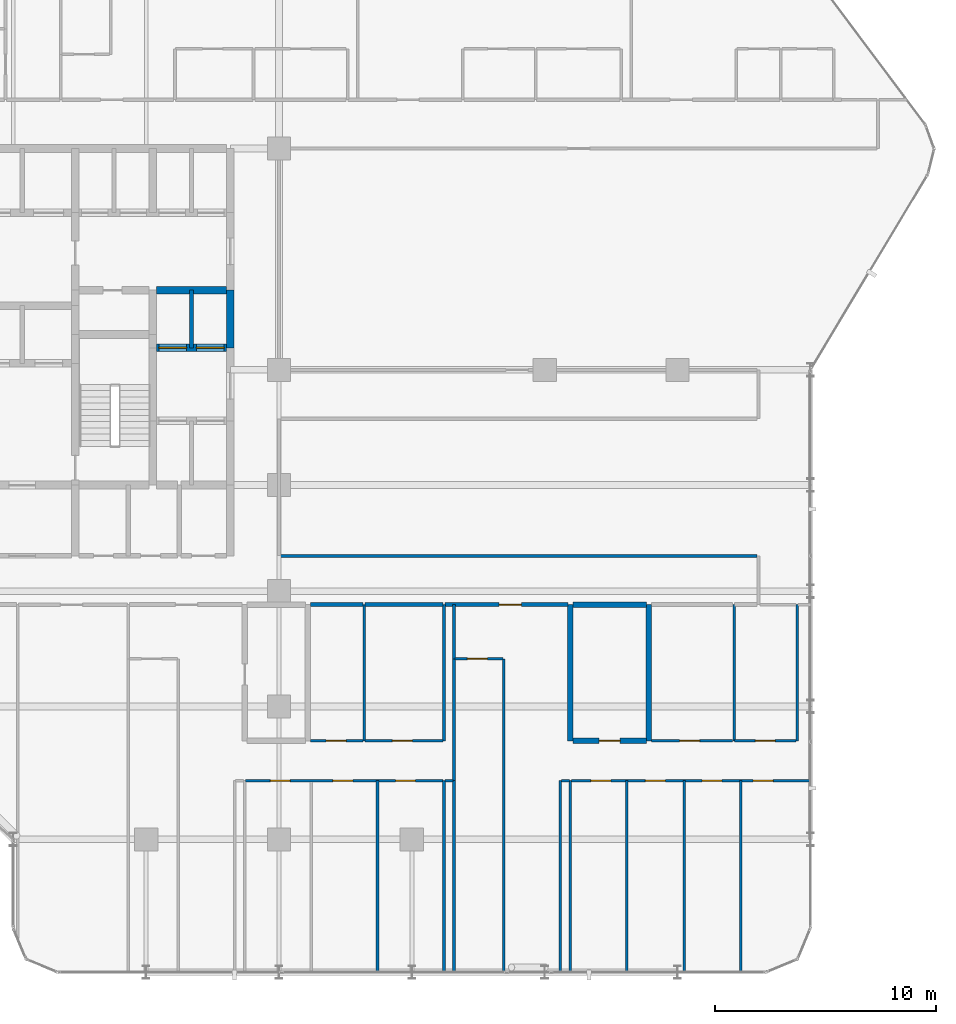
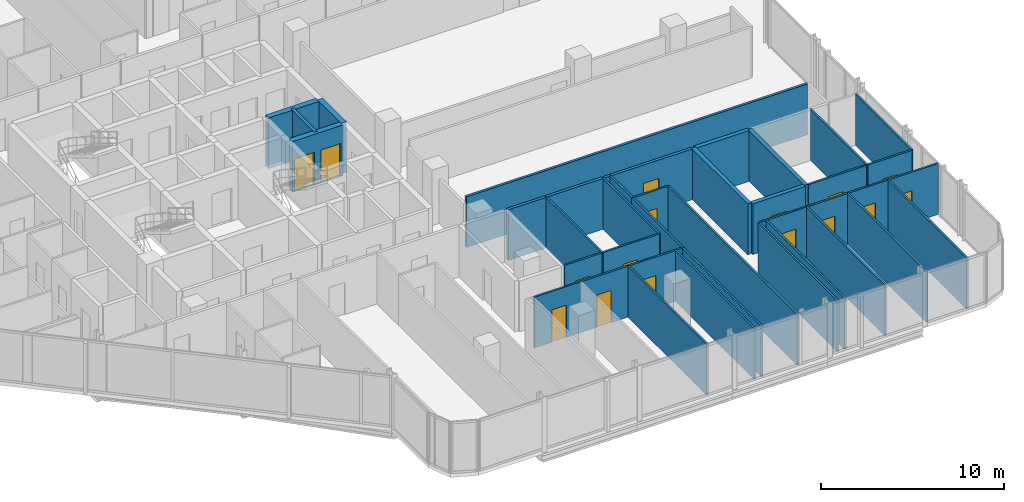
# One storey, part 26 of 30: 36 walls, 16 doors, 16 openings.
"""IFC4 building model written with IfcOpenShell, lengths in metres."""

from ifc_helpers import new_model, si_unit, direction, frame, frame_2d, origin, place, context, subcontext, project, spatial, rectangle, extrude, material, layer, layer_set, type_object, element, fill, save


model = new_model("IFC4")

# Units and contexts
model_context = context("Model", 3, precision=1e-05, world=origin(), true_north=direction((0.0, 1.0)))
body_context = subcontext(model_context, "Body", "Model", "MODEL_VIEW")
ifc_project = project(units=[si_unit("LENGTHUNIT", "METRE"), si_unit("AREAUNIT", "SQUARE_METRE"), si_unit("VOLUMEUNIT", "CUBIC_METRE"), si_unit("PLANEANGLEUNIT", "RADIAN"), si_unit("MASSUNIT", "GRAM", prefix="KILO")], contexts=[model_context])

# Site, building, storey
site_placement = place(None, origin())
site = spatial("IfcSite", under=ifc_project, at=site_placement, CompositionType="ELEMENT")
building_placement = place(site_placement, origin())
building = spatial("IfcBuilding", under=site, at=building_placement, Name="Keshet Zoharim Tower", CompositionType="ELEMENT")
storey_placement = place(building_placement, frame((0.0, 0.0, 109.39990234375)))
storey = spatial("IfcBuildingStorey", under=building, at=storey_placement, Name="L26", CompositionType="ELEMENT", Elevation=109.39990234375)

# Walls
ifc_material_1 = material(Name="Gypsum Plasterboard", Category="gypsum")
ifc_layer_1 = layer(ifc_material_1, 0.14990234375)
ifc_layer_set_1 = layer_set([ifc_layer_1], Name="Gypsum Plasterboard")
wall_type_1 = type_object("IfcWallType", Name="WL-CLIN-150", PredefinedType="STANDARD", material=ifc_layer_set_1)
wall_1_placement = place(storey_placement, frame((33.070068359375, 19.5, 0.0), z_axis=(0.0, 0.0, 1.0), x_axis=(1.0, 0.0, 0.0)))
element("IfcWall", 1, at=wall_1_placement, inside=storey, type_object=wall_type_1, Name="L26 Interior Wall 146", PredefinedType="STANDARD", context=body_context, shape_type="SweptSolid", body=[
    extrude(rectangle(XDim=21.510009765625, YDim=0.14990234375, at=frame_2d((10.7548828125, 0.0))), origin(), (0.0, 0.0, 1.0), 3.385009765625),
])
ifc_material_2 = material(Name="Concrete C60/75", Category="concrete")
ifc_layer_2 = layer(ifc_material_2, 0.35009765625)
ifc_layer_set_2 = layer_set([ifc_layer_2], Name="Concrete C60/75")
wall_type_2 = type_object("IfcWallType", Name="WL-CORE-350", PredefinedType="SHEAR", material=ifc_layer_set_2)
wall_2_placement = place(storey_placement, frame((30.800048828125, 28.89990234375, 0.0), z_axis=(0.0, 0.0, 1.0), x_axis=(0.0, 1.0, 0.0)))
element("IfcWall", 2, at=wall_2_placement, inside=storey, type_object=wall_type_2, Name="L26 Core Shear Wall 063", PredefinedType="SHEAR", context=body_context, shape_type="SweptSolid", body=[
    extrude(rectangle(XDim=2.60009765625, YDim=0.35009765625, at=frame_2d((1.300048828125, 0.0))), origin(), (0.0, 0.0, 1.0), 3.385009765625),
])

# Wall, openings, doors
wall_3_placement = place(storey_placement, frame((27.4599609375, 28.89990234375, 0.0), z_axis=(0.0, 0.0, 1.0), x_axis=(1.0, 0.0, 0.0)))
wall_3 = element("IfcWall", 3, at=wall_3_placement, inside=storey, type_object=wall_type_2, Name="L26 Core Shear Wall 167", PredefinedType="SHEAR", context=body_context, shape_type="SweptSolid", body=[
    extrude(rectangle(XDim=3.179931640625, YDim=0.35009765625, at=frame_2d((1.58984375, 0.0))), origin(), (0.0, 0.0, 1.0), 3.385009765625),
])
opening_1_placement = place(wall_3_placement, frame((0.1201171875, 0.0, 0.0)))
opening_1 = element("IfcOpeningElement", 4, at=opening_1_placement, cuts=wall_3, Name="Opening LD-01", PredefinedType="OPENING", context=body_context, shape_type="SweptSolid", body=[
    extrude(rectangle(XDim=1.25, YDim=2.199951171875, at=frame_2d((0.625, 1.10009765625))), frame((0.0, 0.18505859375, 0.0), z_axis=(0.0, -1.0, 0.0), x_axis=(1.0, 0.0, 0.0)), (0.0, 0.0, 1.0), 0.3701171875),
])
opening_2_placement = place(wall_3_placement, frame((1.81005859375, 0.0, 0.0)))
opening_2 = element("IfcOpeningElement", 5, at=opening_2_placement, cuts=wall_3, Name="Opening LD-01", PredefinedType="OPENING", context=body_context, shape_type="SweptSolid", body=[
    extrude(rectangle(XDim=1.25, YDim=2.199951171875, at=frame_2d((0.625, 1.10009765625))), frame((0.0, 0.18505859375, 0.0), z_axis=(0.0, -1.0, 0.0), x_axis=(1.0, 0.0, 0.0)), (0.0, 0.0, 1.0), 0.3701171875),
])
ifc_material_3 = material(Name="Steel S355", Category="steel")
door_type_1 = type_object("IfcDoorType", Name="DR-LD01-125", OperationType="DOUBLE_DOOR_SLIDING", PredefinedType="DOOR", material=ifc_material_3)
door_1_placement = place(opening_1_placement, origin())
door_1 = element("IfcDoor", 6, at=door_1_placement, inside=storey, type_object=door_type_1, Name="L26 Passenger Lift Landing Door LF-05", OperationType="DOUBLE_DOOR_SLIDING", OverallHeight=2.199951171875, OverallWidth=1.25, PredefinedType="DOOR", context=body_context, shape_type="SweptSolid", body=[
    extrude(rectangle(XDim=1.25, YDim=2.199951171875, at=frame_2d((0.625, 1.10009765625))), frame((0.0, 0.02490234375, 0.0), z_axis=(0.0, -1.0, 0.0), x_axis=(1.0, 0.0, 0.0)), (0.0, 0.0, 1.0), 0.050048828125),
])
fill(opening_1, door_1)
door_2_placement = place(opening_2_placement, origin())
door_2 = element("IfcDoor", 7, at=door_2_placement, inside=storey, type_object=door_type_1, Name="L26 Passenger Lift Landing Door LF-06", OperationType="DOUBLE_DOOR_SLIDING", OverallHeight=2.199951171875, OverallWidth=1.25, PredefinedType="DOOR", context=body_context, shape_type="SweptSolid", body=[
    extrude(rectangle(XDim=1.25, YDim=2.199951171875, at=frame_2d((0.625, 1.10009765625))), frame((0.0, 0.02490234375, 0.0), z_axis=(0.0, -1.0, 0.0), x_axis=(1.0, 0.0, 0.0)), (0.0, 0.0, 1.0), 0.050048828125),
])
fill(opening_2, door_2)

# Walls
wall_4_placement = place(storey_placement, frame((27.4599609375, 31.5, 0.0), z_axis=(0.0, 0.0, 1.0), x_axis=(1.0, 0.0, 0.0)))
element("IfcWall", 8, at=wall_4_placement, inside=storey, type_object=wall_type_2, Name="L26 Core Shear Wall 175", PredefinedType="SHEAR", context=body_context, shape_type="SweptSolid", body=[
    extrude(rectangle(XDim=3.179931640625, YDim=0.35009765625, at=frame_2d((1.58984375, 0.0))), origin(), (0.0, 0.0, 1.0), 3.385009765625),
])
ifc_layer_3 = layer(ifc_material_1, 0.179931640625)
ifc_layer_set_3 = layer_set([ifc_layer_3], Name="Gypsum Plasterboard")
wall_type_3 = type_object("IfcWallType", Name="WL-CORR-180", PredefinedType="STANDARD", material=ifc_layer_set_3)
wall_5_placement = place(storey_placement, frame((34.425048828125, 17.300048828125, 0.0), z_axis=(0.0, 0.0, 1.0), x_axis=(1.0, 0.0, 0.0)))
element("IfcWall", 9, at=wall_5_placement, inside=storey, type_object=wall_type_3, Name="L26 Interior Wall 134", PredefinedType="STANDARD", context=body_context, shape_type="SweptSolid", body=[
    extrude(rectangle(XDim=2.367919921875, YDim=0.179931640625, at=frame_2d((1.18408203125, 0.0))), origin(), (0.0, 0.0, 1.0), 3.385009765625),
])
wall_6_placement = place(storey_placement, frame((36.883056640625, 17.300048828125, 0.0), z_axis=(0.0, 0.0, 1.0), x_axis=(1.0, 0.0, 0.0)))
element("IfcWall", 10, at=wall_6_placement, inside=storey, type_object=wall_type_3, Name="L26 Interior Wall 135", PredefinedType="STANDARD", context=body_context, shape_type="SweptSolid", body=[
    extrude(rectangle(XDim=3.531982421875, YDim=0.179931640625, at=frame_2d((1.76611328125, 0.0))), origin(), (0.0, 0.0, 1.0), 3.385009765625),
])

# Wall, opening, door
wall_7_placement = place(storey_placement, frame((40.5048828125, 17.300048828125, 0.0), z_axis=(0.0, 0.0, 1.0), x_axis=(1.0, 0.0, 0.0)))
wall_7 = element("IfcWall", 11, at=wall_7_placement, inside=storey, type_object=wall_type_3, Name="L26 Interior Wall 136", PredefinedType="STANDARD", context=body_context, shape_type="SweptSolid", body=[
    extrude(rectangle(XDim=5.545166015625, YDim=0.179931640625, at=frame_2d((2.7724609375, 0.0))), origin(), (0.0, 0.0, 1.0), 3.385009765625),
])
opening_3_placement = place(wall_7_placement, frame((2.43505859375, 0.0, 0.0)))
opening_3 = element("IfcOpeningElement", 12, at=opening_3_placement, cuts=wall_7, Name="Opening D-F310", PredefinedType="OPENING", context=body_context, shape_type="SweptSolid", body=[
    extrude(rectangle(XDim=1.0, YDim=2.14990234375, at=frame_2d((0.5, 1.074951171875))), frame((0.0, 0.10009765625, 0.0), z_axis=(0.0, -1.0, 0.0), x_axis=(1.0, 0.0, 0.0)), (0.0, 0.0, 1.0), 0.199951171875),
])
ifc_material_4 = material(Name="Hardwood Timber", Category="wood")
door_type_2 = type_object("IfcDoorType", Name="DR-FD30-100", OperationType="NOTDEFINED", PredefinedType="DOOR", material=ifc_material_4)
door_3_placement = place(opening_3_placement, origin())
door_3 = element("IfcDoor", 13, at=door_3_placement, inside=storey, type_object=door_type_2, Name="Apartment 2603 Entrance Door", OperationType="SINGLE_SWING_LEFT", OverallHeight=2.14990234375, OverallWidth=1.0, PredefinedType="DOOR", context=body_context, shape_type="SweptSolid", body=[
    extrude(rectangle(XDim=1.0, YDim=2.14990234375, at=frame_2d((0.5, 1.074951171875))), frame((0.0, 0.02490234375, 0.0), z_axis=(0.0, -1.0, 0.0), x_axis=(1.0, 0.0, 0.0)), (0.0, 0.0, 1.0), 0.050048828125),
])
fill(opening_3, door_3)

# Walls
ifc_material_5 = material(Name="Concrete C50/60", Category="concrete")
ifc_layer_4 = layer(ifc_material_5, 0.199951171875)
ifc_layer_set_4 = layer_set([ifc_layer_4], Name="Concrete C50/60")
wall_type_4 = type_object("IfcWallType", Name="WL-FIRE-200", PredefinedType="STANDARD", material=ifc_layer_set_4)
wall_8_placement = place(storey_placement, frame((29.050048828125, 28.89990234375, 0.0), z_axis=(0.0, 0.0, 1.0), x_axis=(0.0, 1.0, 0.0)))
element("IfcWall", 14, at=wall_8_placement, inside=storey, type_object=wall_type_4, Name="L26 Interior Wall 058", PredefinedType="STANDARD", context=body_context, shape_type="SweptSolid", body=[
    extrude(rectangle(XDim=2.60009765625, YDim=0.199951171875, at=frame_2d((1.300048828125, 0.0))), origin(), (0.0, 0.0, 1.0), 3.385009765625),
])
ifc_layer_5 = layer(ifc_material_5, 0.25)
ifc_layer_set_5 = layer_set([ifc_layer_5], Name="Concrete C50/60")
wall_type_5 = type_object("IfcWallType", Name="WL-MAMAD-250", PredefinedType="STANDARD", material=ifc_layer_set_5)
for number, where, z_axis, x_axis, name in (
    (15, (46.14990234375, 11.14990234375, 0.0), (0.0, 0.0, 1.0), (0.0, 1.0, 0.0), "L26 Interior Wall 095"),
    (16, (49.699951171875, 11.14990234375, 0.0), (0.0, 0.0, 1.0), (0.0, 1.0, 0.0), "L26 Interior Wall 100"),
):
    element("IfcWall", number, at=place(storey_placement, frame(where, z_axis=z_axis, x_axis=x_axis)), inside=storey, type_object=wall_type_5, Name=name, PredefinedType="STANDARD", context=body_context, shape_type="SweptSolid", body=[
        extrude(rectangle(XDim=6.150146484375, YDim=0.25, at=frame_2d((3.0751953125, 0.0))), origin(), (0.0, 0.0, 1.0), 3.385009765625),
    ])

# Wall, opening, door
wall_9_placement = place(storey_placement, frame((46.27001953125, 11.14990234375, 0.0), z_axis=(0.0, 0.0, 1.0), x_axis=(1.0, 0.0, 0.0)))
wall_9 = element("IfcWall", 17, at=wall_9_placement, inside=storey, type_object=wall_type_5, Name="L26 Interior Wall 120", PredefinedType="STANDARD", context=body_context, shape_type="SweptSolid", body=[
    extrude(rectangle(XDim=3.320068359375, YDim=0.25, at=frame_2d((1.66015625, 0.0))), origin(), (0.0, 0.0, 1.0), 3.385009765625),
])
opening_4_placement = place(wall_9_placement, frame((1.18505859375, 0.0, 0.0)))
opening_4 = element("IfcOpeningElement", 18, at=opening_4_placement, cuts=wall_9, Name="Opening D-F695", PredefinedType="OPENING", context=body_context, shape_type="SweptSolid", body=[
    extrude(rectangle(XDim=0.949951171875, YDim=2.14990234375, at=frame_2d((0.47509765625, 1.074951171875))), frame((0.0, 0.135009765625, 0.0), z_axis=(0.0, -1.0, 0.0), x_axis=(1.0, 0.0, 0.0)), (0.0, 0.0, 1.0), 0.27001953125),
])
door_type_3 = type_object("IfcDoorType", Name="DR-FD60-095", OperationType="NOTDEFINED", PredefinedType="DOOR", material=ifc_material_4)
door_4_placement = place(opening_4_placement, origin())
door_4 = element("IfcDoor", 19, at=door_4_placement, inside=storey, type_object=door_type_3, Name="Apartment 2603 Study and Shelter Room Door", OperationType="SINGLE_SWING_LEFT", OverallHeight=2.14990234375, OverallWidth=0.949951171875, PredefinedType="DOOR", context=body_context, shape_type="SweptSolid", body=[
    extrude(rectangle(XDim=0.949951171875, YDim=2.14990234375, at=frame_2d((0.47509765625, 1.074951171875))), frame((0.0, 0.02490234375, 0.0), z_axis=(0.0, -1.0, 0.0), x_axis=(1.0, 0.0, 0.0)), (0.0, 0.0, 1.0), 0.050048828125),
])
fill(opening_4, door_4)

# Walls
wall_10_placement = place(storey_placement, frame((46.27001953125, 17.300048828125, 0.0), z_axis=(0.0, 0.0, 1.0), x_axis=(1.0, 0.0, 0.0)))
element("IfcWall", 20, at=wall_10_placement, inside=storey, type_object=wall_type_5, Name="L26 Interior Wall 137", PredefinedType="STANDARD", context=body_context, shape_type="SweptSolid", body=[
    extrude(rectangle(XDim=3.320068359375, YDim=0.25, at=frame_2d((1.66015625, 0.0))), origin(), (0.0, 0.0, 1.0), 3.385009765625),
])
ifc_layer_6 = layer(ifc_material_1, 0.1201171875)
ifc_layer_set_6 = layer_set([ifc_layer_6], Name="Gypsum Plasterboard")
wall_type_6 = type_object("IfcWallType", Name="WL-PART-120", PredefinedType="PARTITIONING", material=ifc_layer_set_6)
for number, where, z_axis, x_axis, name in (
    (21, (37.449951171875, 0.7099609375, 0.0), (0.0, 0.0, 1.0), (0.0, 1.0, 0.0), "L26 Interior Wall 080"),
    (22, (40.449951171875, 0.7099609375, 0.0), (0.0, 0.0, 1.0), (0.0, 1.0, 0.0), "L26 Interior Wall 081"),
):
    element("IfcWall", number, at=place(storey_placement, frame(where, z_axis=z_axis, x_axis=x_axis)), inside=storey, type_object=wall_type_6, Name=name, PredefinedType="PARTITIONING", context=body_context, shape_type="SweptSolid", body=[
        extrude(rectangle(XDim=8.64013671875, YDim=0.1201171875, at=frame_2d((4.320068359375, 0.0))), origin(), (0.0, 0.0, 1.0), 3.385009765625),
    ])
wall_11_placement = place(storey_placement, frame((40.449951171875, 11.14990234375, 0.0), z_axis=(0.0, 0.0, 1.0), x_axis=(0.0, 1.0, 0.0)))
element("IfcWall", 23, at=wall_11_placement, inside=storey, type_object=wall_type_6, Name="L26 Interior Wall 082", PredefinedType="PARTITIONING", context=body_context, shape_type="SweptSolid", body=[
    extrude(rectangle(XDim=6.150146484375, YDim=0.1201171875, at=frame_2d((3.0751953125, 0.0))), origin(), (0.0, 0.0, 1.0), 3.385009765625),
])
wall_12_placement = place(storey_placement, frame((40.89990234375, 0.7099609375, 0.0), z_axis=(0.0, 0.0, 1.0), x_axis=(0.0, 1.0, 0.0)))
element("IfcWall", 24, at=wall_12_placement, inside=storey, type_object=wall_type_6, Name="L26 Interior Wall 084", PredefinedType="PARTITIONING", context=body_context, shape_type="SweptSolid", body=[
    extrude(rectangle(XDim=8.64013671875, YDim=0.1201171875, at=frame_2d((4.320068359375, 0.0))), origin(), (0.0, 0.0, 1.0), 3.385009765625),
])
wall_13_placement = place(storey_placement, frame((40.89990234375, 9.35009765625, 0.0), z_axis=(0.0, 0.0, 1.0), x_axis=(0.0, 1.0, 0.0)))
element("IfcWall", 25, at=wall_13_placement, inside=storey, type_object=wall_type_6, Name="L26 Interior Wall 085", PredefinedType="PARTITIONING", context=body_context, shape_type="SweptSolid", body=[
    extrude(rectangle(XDim=5.5, YDim=0.1201171875, at=frame_2d((2.75, 0.0))), origin(), (0.0, 0.0, 1.0), 3.385009765625),
])
wall_14_placement = place(storey_placement, frame((40.89990234375, 14.85009765625, 0.0), z_axis=(0.0, 0.0, 1.0), x_axis=(0.0, 1.0, 0.0)))
element("IfcWall", 26, at=wall_14_placement, inside=storey, type_object=wall_type_6, Name="L26 Interior Wall 086", PredefinedType="PARTITIONING", context=body_context, shape_type="SweptSolid", body=[
    extrude(rectangle(XDim=2.449951171875, YDim=0.1201171875, at=frame_2d((1.22509765625, 0.0))), origin(), (0.0, 0.0, 1.0), 3.385009765625),
])
wall_15_placement = place(storey_placement, frame((43.14990234375, 0.7099609375, 0.0), z_axis=(0.0, 0.0, 1.0), x_axis=(0.0, 1.0, 0.0)))
element("IfcWall", 27, at=wall_15_placement, inside=storey, type_object=wall_type_6, Name="L26 Interior Wall 089", PredefinedType="PARTITIONING", context=body_context, shape_type="SweptSolid", body=[
    extrude(rectangle(XDim=14.14013671875, YDim=0.1201171875, at=frame_2d((7.070068359375, 0.0))), origin(), (0.0, 0.0, 1.0), 3.385009765625),
])
for number, where, z_axis, x_axis, name in (
    (28, (45.699951171875, 0.7099609375, 0.0), (0.0, 0.0, 1.0), (0.0, 1.0, 0.0), "L26 Interior Wall 092"),
    (29, (46.14990234375, 0.7099609375, 0.0), (0.0, 0.0, 1.0), (0.0, 1.0, 0.0), "L26 Interior Wall 094"),
    (30, (48.699951171875, 0.7099609375, 0.0), (0.0, 0.0, 1.0), (0.0, 1.0, 0.0), "L26 Interior Wall 098"),
    (31, (51.300048828125, 0.7099609375, 0.0), (0.0, 0.0, 1.0), (0.0, 1.0, 0.0), "L26 Interior Wall 101"),
    (32, (53.85009765625, 0.7099609375, 0.0), (0.0, 0.0, 1.0), (0.0, 1.0, 0.0), "L26 Interior Wall 105"),
):
    element("IfcWall", number, at=place(storey_placement, frame(where, z_axis=z_axis, x_axis=x_axis)), inside=storey, type_object=wall_type_6, Name=name, PredefinedType="PARTITIONING", context=body_context, shape_type="SweptSolid", body=[
        extrude(rectangle(XDim=8.64013671875, YDim=0.1201171875, at=frame_2d((4.320068359375, 0.0))), origin(), (0.0, 0.0, 1.0), 3.385009765625),
    ])

# Wall, openings, doors
wall_16_placement = place(storey_placement, frame((31.4951171875, 9.35009765625, 0.0), z_axis=(0.0, 0.0, 1.0), x_axis=(1.0, 0.0, 0.0)))
wall_16 = element("IfcWall", 33, at=wall_16_placement, inside=storey, type_object=wall_type_6, Name="L26 Interior Wall 113", PredefinedType="PARTITIONING", context=body_context, shape_type="SweptSolid", body=[
    extrude(rectangle(XDim=8.919921875, YDim=0.1201171875, at=frame_2d((4.4599609375, 0.0))), origin(), (0.0, 0.0, 1.0), 3.385009765625),
])
opening_5_placement = place(wall_16_placement, frame((1.111083984375, 0.0, 0.0)))
opening_5 = element("IfcOpeningElement", 34, at=opening_5_placement, cuts=wall_16, Name="Opening D-IN90", PredefinedType="OPENING", context=body_context, shape_type="SweptSolid", body=[
    extrude(rectangle(XDim=0.89990234375, YDim=2.14990234375, at=frame_2d((0.449951171875, 1.074951171875))), frame((0.0, 0.070068359375, 0.0), z_axis=(0.0, -1.0, 0.0), x_axis=(1.0, 0.0, 0.0)), (0.0, 0.0, 1.0), 0.14013671875),
])
opening_6_placement = place(wall_16_placement, frame((3.93701171875, 0.0, 0.0)))
opening_6 = element("IfcOpeningElement", 35, at=opening_6_placement, cuts=wall_16, Name="Opening D-IN90", PredefinedType="OPENING", context=body_context, shape_type="SweptSolid", body=[
    extrude(rectangle(XDim=0.89990234375, YDim=2.14990234375, at=frame_2d((0.449951171875, 1.074951171875))), frame((0.0, 0.070068359375, 0.0), z_axis=(0.0, -1.0, 0.0), x_axis=(1.0, 0.0, 0.0)), (0.0, 0.0, 1.0), 0.14013671875),
])
opening_7_placement = place(wall_16_placement, frame((6.76806640625, 0.0, 0.0)))
opening_7 = element("IfcOpeningElement", 36, at=opening_7_placement, cuts=wall_16, Name="Opening D-IN90", PredefinedType="OPENING", context=body_context, shape_type="SweptSolid", body=[
    extrude(rectangle(XDim=0.89990234375, YDim=2.14990234375, at=frame_2d((0.449951171875, 1.074951171875))), frame((0.0, 0.070068359375, 0.0), z_axis=(0.0, -1.0, 0.0), x_axis=(1.0, 0.0, 0.0)), (0.0, 0.0, 1.0), 0.14013671875),
])
door_type_4 = type_object("IfcDoorType", Name="DR-INT-090", OperationType="NOTDEFINED", PredefinedType="DOOR", material=ifc_material_4)
door_5_placement = place(opening_5_placement, origin())
door_5 = element("IfcDoor", 37, at=door_5_placement, inside=storey, type_object=door_type_4, Name="Apartment 2602 Bedroom 1 Door", OperationType="SINGLE_SWING_RIGHT", OverallHeight=2.14990234375, OverallWidth=0.89990234375, PredefinedType="DOOR", context=body_context, shape_type="SweptSolid", body=[
    extrude(rectangle(XDim=0.89990234375, YDim=2.14990234375, at=frame_2d((0.449951171875, 1.074951171875))), frame((0.0, 0.02490234375, 0.0), z_axis=(0.0, -1.0, 0.0), x_axis=(1.0, 0.0, 0.0)), (0.0, 0.0, 1.0), 0.050048828125),
])
fill(opening_5, door_5)
door_6_placement = place(opening_6_placement, origin())
door_6 = element("IfcDoor", 38, at=door_6_placement, inside=storey, type_object=door_type_4, Name="Apartment 2602 Bedroom 2 Door", OperationType="SINGLE_SWING_LEFT", OverallHeight=2.14990234375, OverallWidth=0.89990234375, PredefinedType="DOOR", context=body_context, shape_type="SweptSolid", body=[
    extrude(rectangle(XDim=0.89990234375, YDim=2.14990234375, at=frame_2d((0.449951171875, 1.074951171875))), frame((0.0, 0.02490234375, 0.0), z_axis=(0.0, -1.0, 0.0), x_axis=(1.0, 0.0, 0.0)), (0.0, 0.0, 1.0), 0.050048828125),
])
fill(opening_6, door_6)
door_7_placement = place(opening_7_placement, origin())
door_7 = element("IfcDoor", 39, at=door_7_placement, inside=storey, type_object=door_type_4, Name="Apartment 2602 Bedroom 3 Door", OperationType="SINGLE_SWING_RIGHT", OverallHeight=2.14990234375, OverallWidth=0.89990234375, PredefinedType="DOOR", context=body_context, shape_type="SweptSolid", body=[
    extrude(rectangle(XDim=0.89990234375, YDim=2.14990234375, at=frame_2d((0.449951171875, 1.074951171875))), frame((0.0, 0.02490234375, 0.0), z_axis=(0.0, -1.0, 0.0), x_axis=(1.0, 0.0, 0.0)), (0.0, 0.0, 1.0), 0.050048828125),
])
fill(opening_7, door_7)

# Walls
for number, where, z_axis, x_axis, name in (
    (40, (40.5048828125, 9.35009765625, 0.0), (0.0, 0.0, 1.0), (1.0, 0.0, 0.0), "L26 Interior Wall 114"),
    (41, (45.7548828125, 9.35009765625, 0.0), (0.0, 0.0, 1.0), (1.0, 0.0, 0.0), "L26 Interior Wall 115"),
):
    element("IfcWall", number, at=place(storey_placement, frame(where, z_axis=z_axis, x_axis=x_axis)), inside=storey, type_object=wall_type_6, Name=name, PredefinedType="PARTITIONING", context=body_context, shape_type="SweptSolid", body=[
        extrude(rectangle(XDim=0.360107421875, YDim=0.1201171875, at=frame_2d((0.18017578125, 0.0))), origin(), (0.0, 0.0, 1.0), 3.385009765625),
    ])

# Wall, openings, doors
wall_17_placement = place(storey_placement, frame((46.205078125, 9.35009765625, 0.0), z_axis=(0.0, 0.0, 1.0), x_axis=(1.0, 0.0, 0.0)))
wall_17 = element("IfcWall", 42, at=wall_17_placement, inside=storey, type_object=wall_type_6, Name="L26 Interior Wall 116", PredefinedType="PARTITIONING", context=body_context, shape_type="SweptSolid", body=[
    extrude(rectangle(XDim=10.784912109375, YDim=0.1201171875, at=frame_2d((5.392578125, 0.0))), origin(), (0.0, 0.0, 1.0), 3.385009765625),
])
opening_8_placement = place(wall_17_placement, frame((0.882080078125, 0.0, 0.0)))
opening_8 = element("IfcOpeningElement", 43, at=opening_8_placement, cuts=wall_17, Name="Opening D-IN90", PredefinedType="OPENING", context=body_context, shape_type="SweptSolid", body=[
    extrude(rectangle(XDim=0.89990234375, YDim=2.14990234375, at=frame_2d((0.449951171875, 1.074951171875))), frame((0.0, 0.070068359375, 0.0), z_axis=(0.0, -1.0, 0.0), x_axis=(1.0, 0.0, 0.0)), (0.0, 0.0, 1.0), 0.14013671875),
])
opening_9_placement = place(wall_17_placement, frame((3.342041015625, 0.0, 0.0)))
opening_9 = element("IfcOpeningElement", 44, at=opening_9_placement, cuts=wall_17, Name="Opening D-IN90", PredefinedType="OPENING", context=body_context, shape_type="SweptSolid", body=[
    extrude(rectangle(XDim=0.89990234375, YDim=2.14990234375, at=frame_2d((0.449951171875, 1.074951171875))), frame((0.0, 0.070068359375, 0.0), z_axis=(0.0, -1.0, 0.0), x_axis=(1.0, 0.0, 0.0)), (0.0, 0.0, 1.0), 0.14013671875),
])
opening_10_placement = place(wall_17_placement, frame((5.89794921875, 0.0, 0.0)))
opening_10 = element("IfcOpeningElement", 45, at=opening_10_placement, cuts=wall_17, Name="Opening D-IN90", PredefinedType="OPENING", context=body_context, shape_type="SweptSolid", body=[
    extrude(rectangle(XDim=0.89990234375, YDim=2.14990234375, at=frame_2d((0.449951171875, 1.074951171875))), frame((0.0, 0.070068359375, 0.0), z_axis=(0.0, -1.0, 0.0), x_axis=(1.0, 0.0, 0.0)), (0.0, 0.0, 1.0), 0.14013671875),
])
opening_11_placement = place(wall_17_placement, frame((8.2041015625, 0.0, 0.0)))
opening_11 = element("IfcOpeningElement", 46, at=opening_11_placement, cuts=wall_17, Name="Opening D-IN90", PredefinedType="OPENING", context=body_context, shape_type="SweptSolid", body=[
    extrude(rectangle(XDim=0.89990234375, YDim=2.14990234375, at=frame_2d((0.449951171875, 1.074951171875))), frame((0.0, 0.070068359375, 0.0), z_axis=(0.0, -1.0, 0.0), x_axis=(1.0, 0.0, 0.0)), (0.0, 0.0, 1.0), 0.14013671875),
])
door_8_placement = place(opening_8_placement, origin())
door_8 = element("IfcDoor", 47, at=door_8_placement, inside=storey, type_object=door_type_4, Name="Apartment 2603 Bedroom 1 Door", OperationType="SINGLE_SWING_LEFT", OverallHeight=2.14990234375, OverallWidth=0.89990234375, PredefinedType="DOOR", context=body_context, shape_type="SweptSolid", body=[
    extrude(rectangle(XDim=0.89990234375, YDim=2.14990234375, at=frame_2d((0.449951171875, 1.074951171875))), frame((0.0, 0.02490234375, 0.0), z_axis=(0.0, -1.0, 0.0), x_axis=(1.0, 0.0, 0.0)), (0.0, 0.0, 1.0), 0.050048828125),
])
fill(opening_8, door_8)
door_9_placement = place(opening_9_placement, origin())
door_9 = element("IfcDoor", 48, at=door_9_placement, inside=storey, type_object=door_type_4, Name="Apartment 2603 Bedroom 2 Door", OperationType="SINGLE_SWING_RIGHT", OverallHeight=2.14990234375, OverallWidth=0.89990234375, PredefinedType="DOOR", context=body_context, shape_type="SweptSolid", body=[
    extrude(rectangle(XDim=0.89990234375, YDim=2.14990234375, at=frame_2d((0.449951171875, 1.074951171875))), frame((0.0, 0.02490234375, 0.0), z_axis=(0.0, -1.0, 0.0), x_axis=(1.0, 0.0, 0.0)), (0.0, 0.0, 1.0), 0.050048828125),
])
fill(opening_9, door_9)
door_10_placement = place(opening_10_placement, origin())
door_10 = element("IfcDoor", 49, at=door_10_placement, inside=storey, type_object=door_type_4, Name="Apartment 2603 Bedroom 3 Door", OperationType="SINGLE_SWING_LEFT", OverallHeight=2.14990234375, OverallWidth=0.89990234375, PredefinedType="DOOR", context=body_context, shape_type="SweptSolid", body=[
    extrude(rectangle(XDim=0.89990234375, YDim=2.14990234375, at=frame_2d((0.449951171875, 1.074951171875))), frame((0.0, 0.02490234375, 0.0), z_axis=(0.0, -1.0, 0.0), x_axis=(1.0, 0.0, 0.0)), (0.0, 0.0, 1.0), 0.050048828125),
])
fill(opening_10, door_10)
door_11_placement = place(opening_11_placement, origin())
door_11 = element("IfcDoor", 50, at=door_11_placement, inside=storey, type_object=door_type_4, Name="Apartment 2603 Bedroom 4 Door", OperationType="SINGLE_SWING_RIGHT", OverallHeight=2.14990234375, OverallWidth=0.89990234375, PredefinedType="DOOR", context=body_context, shape_type="SweptSolid", body=[
    extrude(rectangle(XDim=0.89990234375, YDim=2.14990234375, at=frame_2d((0.449951171875, 1.074951171875))), frame((0.0, 0.02490234375, 0.0), z_axis=(0.0, -1.0, 0.0), x_axis=(1.0, 0.0, 0.0)), (0.0, 0.0, 1.0), 0.050048828125),
])
fill(opening_11, door_11)

# Wall, opening, door
wall_18_placement = place(storey_placement, frame((36.883056640625, 11.14990234375, 0.0), z_axis=(0.0, 0.0, 1.0), x_axis=(1.0, 0.0, 0.0)))
wall_18 = element("IfcWall", 51, at=wall_18_placement, inside=storey, type_object=wall_type_6, Name="L26 Interior Wall 119", PredefinedType="PARTITIONING", context=body_context, shape_type="SweptSolid", body=[
    extrude(rectangle(XDim=3.531982421875, YDim=0.1201171875, at=frame_2d((1.76611328125, 0.0))), origin(), (0.0, 0.0, 1.0), 3.385009765625),
])
opening_12_placement = place(wall_18_placement, frame((1.241943359375, 0.0, 0.0)))
opening_12 = element("IfcOpeningElement", 52, at=opening_12_placement, cuts=wall_18, Name="Opening D-IN90", PredefinedType="OPENING", context=body_context, shape_type="SweptSolid", body=[
    extrude(rectangle(XDim=0.89990234375, YDim=2.14990234375, at=frame_2d((0.449951171875, 1.074951171875))), frame((0.0, 0.070068359375, 0.0), z_axis=(0.0, -1.0, 0.0), x_axis=(1.0, 0.0, 0.0)), (0.0, 0.0, 1.0), 0.14013671875),
])
door_12_placement = place(opening_12_placement, origin())
door_12 = element("IfcDoor", 53, at=door_12_placement, inside=storey, type_object=door_type_4, Name="Apartment 2602 Kitchen Door", OperationType="SINGLE_SWING_RIGHT", OverallHeight=2.14990234375, OverallWidth=0.89990234375, PredefinedType="DOOR", context=body_context, shape_type="SweptSolid", body=[
    extrude(rectangle(XDim=0.89990234375, YDim=2.14990234375, at=frame_2d((0.449951171875, 1.074951171875))), frame((0.0, 0.02490234375, 0.0), z_axis=(0.0, -1.0, 0.0), x_axis=(1.0, 0.0, 0.0)), (0.0, 0.0, 1.0), 0.050048828125),
])
fill(opening_12, door_12)

wall_19_placement = place(storey_placement, frame((49.81005859375, 11.14990234375, 0.0), z_axis=(0.0, 0.0, 1.0), x_axis=(1.0, 0.0, 0.0)))
wall_19 = element("IfcWall", 54, at=wall_19_placement, inside=storey, type_object=wall_type_6, Name="L26 Interior Wall 121", PredefinedType="PARTITIONING", context=body_context, shape_type="SweptSolid", body=[
    extrude(rectangle(XDim=3.6708984375, YDim=0.1201171875, at=frame_2d((1.83544921875, 0.0))), origin(), (0.0, 0.0, 1.0), 3.385009765625),
])
opening_13_placement = place(wall_19_placement, frame((1.281982421875, 0.0, 0.0)))
opening_13 = element("IfcOpeningElement", 55, at=opening_13_placement, cuts=wall_19, Name="Opening D-IN90", PredefinedType="OPENING", context=body_context, shape_type="SweptSolid", body=[
    extrude(rectangle(XDim=0.89990234375, YDim=2.14990234375, at=frame_2d((0.449951171875, 1.074951171875))), frame((0.0, 0.070068359375, 0.0), z_axis=(0.0, -1.0, 0.0), x_axis=(1.0, 0.0, 0.0)), (0.0, 0.0, 1.0), 0.14013671875),
])
door_13_placement = place(opening_13_placement, origin())
door_13 = element("IfcDoor", 56, at=door_13_placement, inside=storey, type_object=door_type_4, Name="Apartment 2603 Kitchen Door", OperationType="SINGLE_SWING_RIGHT", OverallHeight=2.14990234375, OverallWidth=0.89990234375, PredefinedType="DOOR", context=body_context, shape_type="SweptSolid", body=[
    extrude(rectangle(XDim=0.89990234375, YDim=2.14990234375, at=frame_2d((0.449951171875, 1.074951171875))), frame((0.0, 0.02490234375, 0.0), z_axis=(0.0, -1.0, 0.0), x_axis=(1.0, 0.0, 0.0)), (0.0, 0.0, 1.0), 0.050048828125),
])
fill(opening_13, door_13)

wall_20_placement = place(storey_placement, frame((40.955078125, 14.85009765625, 0.0), z_axis=(0.0, 0.0, 1.0), x_axis=(1.0, 0.0, 0.0)))
wall_20 = element("IfcWall", 57, at=wall_20_placement, inside=storey, type_object=wall_type_6, Name="L26 Interior Wall 126", PredefinedType="PARTITIONING", context=body_context, shape_type="SweptSolid", body=[
    extrude(rectangle(XDim=2.159912109375, YDim=0.1201171875, at=frame_2d((1.080078125, 0.0))), origin(), (0.0, 0.0, 1.0), 3.385009765625),
])
opening_14_placement = place(wall_20_placement, frame((0.552978515625, 0.0, 0.0)))
opening_14 = element("IfcOpeningElement", 58, at=opening_14_placement, cuts=wall_20, Name="Opening D-IN90", PredefinedType="OPENING", context=body_context, shape_type="SweptSolid", body=[
    extrude(rectangle(XDim=0.89990234375, YDim=2.14990234375, at=frame_2d((0.449951171875, 1.074951171875))), frame((0.0, 0.070068359375, 0.0), z_axis=(0.0, -1.0, 0.0), x_axis=(1.0, 0.0, 0.0)), (0.0, 0.0, 1.0), 0.14013671875),
])
door_14_placement = place(opening_14_placement, origin())
door_14 = element("IfcDoor", 59, at=door_14_placement, inside=storey, type_object=door_type_4, Name="Apartment 2603 Formal Dining Room Door", OperationType="SINGLE_SWING_LEFT", OverallHeight=2.14990234375, OverallWidth=0.89990234375, PredefinedType="DOOR", context=body_context, shape_type="SweptSolid", body=[
    extrude(rectangle(XDim=0.89990234375, YDim=2.14990234375, at=frame_2d((0.449951171875, 1.074951171875))), frame((0.0, 0.02490234375, 0.0), z_axis=(0.0, -1.0, 0.0), x_axis=(1.0, 0.0, 0.0)), (0.0, 0.0, 1.0), 0.050048828125),
])
fill(opening_14, door_14)

# Walls
ifc_layer_7 = layer(ifc_material_1, 0.1201171875)
ifc_layer_set_7 = layer_set([ifc_layer_7], Name="Gypsum Plasterboard")
wall_type_7 = type_object("IfcWallType", Name="WL-WET-120", PredefinedType="PARTITIONING", material=ifc_layer_set_7)
for number, where, z_axis, x_axis, name in (
    (60, (36.85009765625, 11.14990234375, 0.0), (0.0, 0.0, 1.0), (0.0, 1.0, 0.0), "L26 Interior Wall 079"),
    (61, (53.550048828125, 11.14990234375, 0.0), (0.0, 0.0, 1.0), (0.0, 1.0, 0.0), "L26 Interior Wall 102"),
    (62, (56.39990234375, 11.14990234375, 0.0), (0.0, 0.0, 1.0), (0.0, 1.0, 0.0), "L26 Interior Wall 109"),
):
    element("IfcWall", number, at=place(storey_placement, frame(where, z_axis=z_axis, x_axis=x_axis)), inside=storey, type_object=wall_type_7, Name=name, PredefinedType="PARTITIONING", context=body_context, shape_type="SweptSolid", body=[
        extrude(rectangle(XDim=6.150146484375, YDim=0.1201171875, at=frame_2d((3.0751953125, 0.0))), origin(), (0.0, 0.0, 1.0), 3.385009765625),
    ])

# Wall, opening, door
wall_21_placement = place(storey_placement, frame((34.425048828125, 11.14990234375, 0.0), z_axis=(0.0, 0.0, 1.0), x_axis=(1.0, 0.0, 0.0)))
wall_21 = element("IfcWall", 63, at=wall_21_placement, inside=storey, type_object=wall_type_7, Name="L26 Interior Wall 118", PredefinedType="PARTITIONING", context=body_context, shape_type="SweptSolid", body=[
    extrude(rectangle(XDim=2.367919921875, YDim=0.1201171875, at=frame_2d((1.18408203125, 0.0))), origin(), (0.0, 0.0, 1.0), 3.385009765625),
])
opening_15_placement = place(wall_21_placement, frame((0.701904296875, 0.0, 0.0)))
opening_15 = element("IfcOpeningElement", 64, at=opening_15_placement, cuts=wall_21, Name="Opening D-WT90", PredefinedType="OPENING", context=body_context, shape_type="SweptSolid", body=[
    extrude(rectangle(XDim=0.89990234375, YDim=2.10009765625, at=frame_2d((0.449951171875, 1.050048828125))), frame((0.0, 0.070068359375, 0.0), z_axis=(0.0, -1.0, 0.0), x_axis=(1.0, 0.0, 0.0)), (0.0, 0.0, 1.0), 0.14013671875),
])
door_type_5 = type_object("IfcDoorType", Name="DR-WET-090", OperationType="NOTDEFINED", PredefinedType="DOOR", material=ifc_material_4)
door_15_placement = place(opening_15_placement, origin())
door_15 = element("IfcDoor", 65, at=door_15_placement, inside=storey, type_object=door_type_5, Name="Apartment 2602 Bathroom Door", OperationType="SINGLE_SWING_LEFT", OverallHeight=2.10009765625, OverallWidth=0.89990234375, PredefinedType="DOOR", context=body_context, shape_type="SweptSolid", body=[
    extrude(rectangle(XDim=0.89990234375, YDim=2.10009765625, at=frame_2d((0.449951171875, 1.050048828125))), frame((0.0, 0.02490234375, 0.0), z_axis=(0.0, -1.0, 0.0), x_axis=(1.0, 0.0, 0.0)), (0.0, 0.0, 1.0), 0.050048828125),
])
fill(opening_15, door_15)

wall_22_placement = place(storey_placement, frame((53.571044921875, 11.14990234375, 0.0), z_axis=(0.0, 0.0, 1.0), x_axis=(1.0, 0.0, 0.0)))
wall_22 = element("IfcWall", 66, at=wall_22_placement, inside=storey, type_object=wall_type_7, Name="L26 Interior Wall 122", PredefinedType="PARTITIONING", context=body_context, shape_type="SweptSolid", body=[
    extrude(rectangle(XDim=2.77392578125, YDim=0.1201171875, at=frame_2d((1.386962890625, 0.0))), origin(), (0.0, 0.0, 1.0), 3.385009765625),
])
opening_16_placement = place(wall_22_placement, frame((0.93701171875, 0.0, 0.0)))
opening_16 = element("IfcOpeningElement", 67, at=opening_16_placement, cuts=wall_22, Name="Opening D-WT90", PredefinedType="OPENING", context=body_context, shape_type="SweptSolid", body=[
    extrude(rectangle(XDim=0.89990234375, YDim=2.10009765625, at=frame_2d((0.449951171875, 1.050048828125))), frame((0.0, 0.070068359375, 0.0), z_axis=(0.0, -1.0, 0.0), x_axis=(1.0, 0.0, 0.0)), (0.0, 0.0, 1.0), 0.14013671875),
])
door_16_placement = place(opening_16_placement, origin())
door_16 = element("IfcDoor", 68, at=door_16_placement, inside=storey, type_object=door_type_5, Name="Apartment 2603 Bathroom Door", OperationType="SINGLE_SWING_LEFT", OverallHeight=2.10009765625, OverallWidth=0.89990234375, PredefinedType="DOOR", context=body_context, shape_type="SweptSolid", body=[
    extrude(rectangle(XDim=0.89990234375, YDim=2.10009765625, at=frame_2d((0.449951171875, 1.050048828125))), frame((0.0, 0.02490234375, 0.0), z_axis=(0.0, -1.0, 0.0), x_axis=(1.0, 0.0, 0.0)), (0.0, 0.0, 1.0), 0.050048828125),
])
fill(opening_16, door_16)

save(model, "model.ifc")
